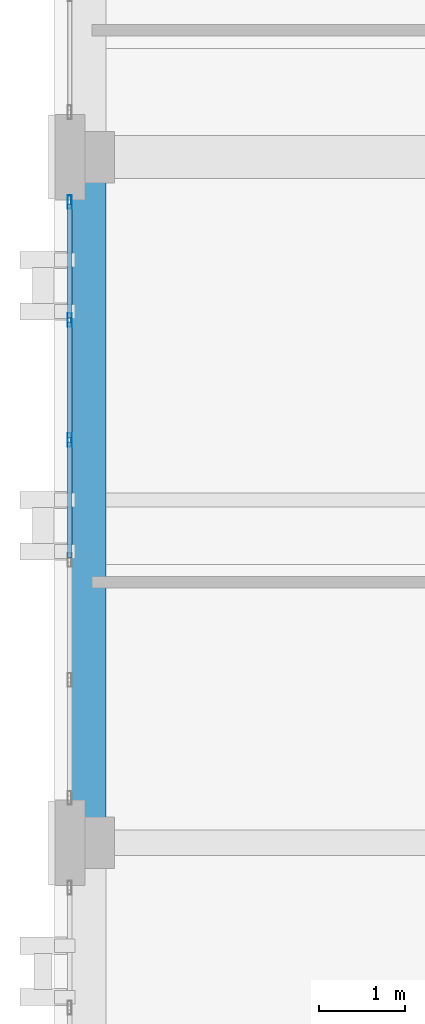
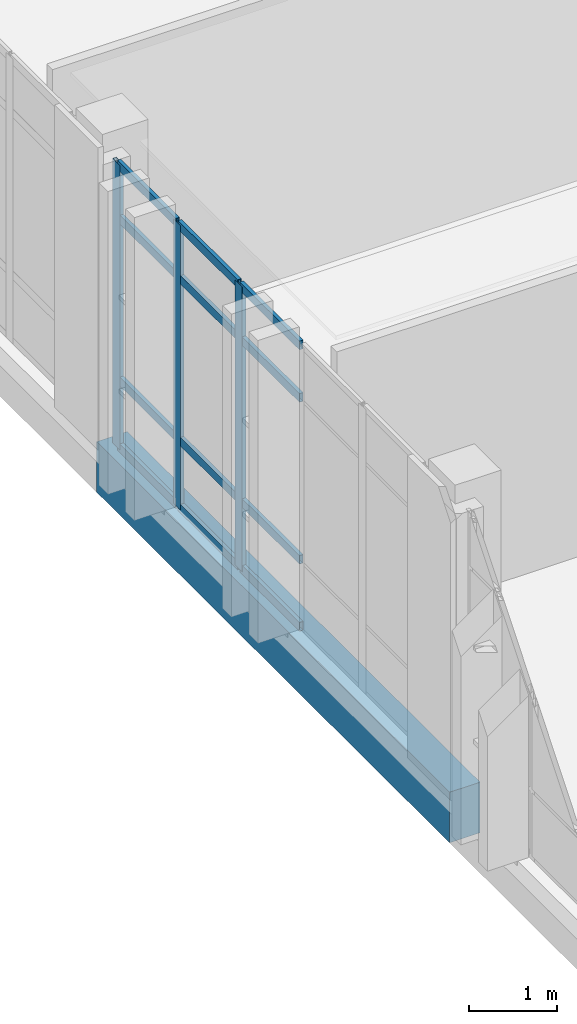
# One storey, part 5 of 48: 15 members, 1 beam, 1 element without a shape of its own.
"""IFC4 building model written with IfcOpenShell, lengths in metres."""

from ifc_helpers import new_model, si_unit, direction, frame, origin, origin_2d, place, context, subcontext, project, spatial, rectangle, hollow_rectangle, extrude, material, layer, layer_set, material_profile, profile_set, type_object, element, aggregate, save


model = new_model("IFC4")

# Units and contexts
model_context = context("Model", 3, precision=1e-05, world=origin(), true_north=direction((0.0, 1.0)))
body_context = subcontext(model_context, "Body", "Model", "MODEL_VIEW")
ifc_project = project(units=[si_unit("LENGTHUNIT", "METRE"), si_unit("AREAUNIT", "SQUARE_METRE"), si_unit("VOLUMEUNIT", "CUBIC_METRE"), si_unit("PLANEANGLEUNIT", "RADIAN"), si_unit("MASSUNIT", "GRAM", prefix="KILO")], contexts=[model_context])

# Site, building, storey
site_placement = place(None, origin())
site = spatial("IfcSite", under=ifc_project, at=site_placement, CompositionType="ELEMENT")
building_placement = place(site_placement, origin())
building = spatial("IfcBuilding", under=site, at=building_placement, Name="Qalavern Law Courts", CompositionType="ELEMENT")
storey_placement = place(building_placement, frame((0.0, 0.0, 31.199951171875)))
storey = spatial("IfcBuildingStorey", under=building, at=storey_placement, Name="L07", CompositionType="ELEMENT", Elevation=31.199951171875)

# Curtain wall, members
ifc_material_1 = material(Name="Anodised aluminium and insulated glazing", Category="aluminium")
ifc_layer = layer(ifc_material_1, 0.159912109375)
ifc_layer_set = layer_set([ifc_layer], Name="Anodised aluminium and insulated glazing")
curtain_wall_type = type_object("IfcCurtainWallType", Name="ENV-CW-CHAMB", PredefinedType="USERDEFINED", material=ifc_layer_set)
curtain_wall_placement = place(storey_placement, origin())
curtain_wall = element("IfcCurtainWall", 1, at=curtain_wall_placement, inside=storey, type_object=curtain_wall_type, Name="V3 unitised curtain wall L07 west 4", ObjectType="UNITISED CURTAIN WALL", PredefinedType="USERDEFINED")
ifc_material_2 = material(Name="Anodised aluminium", Category="aluminium")
ifc_material_profile_1 = material_profile(ifc_material_2, hollow_rectangle(XDim=0.048095703125, YDim=0.159912109375, WallThickness=0.00390625, at=origin_2d()), Name="ALU MULLION 48x160")
ifc_profile_set_1 = profile_set([ifc_material_profile_1], Name="Anodised aluminium")
member_type_1 = type_object("IfcMemberType", Name="ENV-CWM-48x160", PredefinedType="MULLION", material=ifc_profile_set_1)
member_1_placement = place(storey_placement, frame((2.177490234375, 56.8759765625, 0.0), z_axis=(0.0, 0.0, 1.0), x_axis=(1.0, 0.0, 0.0)))
member_1 = element("IfcMember", 2, at=member_1_placement, type_object=member_type_1, Name="CW-04 mullion 1", PredefinedType="MULLION", context=body_context, shape_type="SweptSolid", body=[
    extrude(hollow_rectangle(XDim=0.048095703125, YDim=0.159912109375, WallThickness=0.00390625, at=origin_2d()), origin(), (0.0, 0.0, 1.0), 3.93994140625),
])
member_2_placement = place(storey_placement, frame((2.177490234375, 55.5, 0.0), z_axis=(0.0, 0.0, 1.0), x_axis=(1.0, 0.0, 0.0)))
member_2 = element("IfcMember", 3, at=member_2_placement, type_object=member_type_1, Name="CW-04 mullion 2", PredefinedType="MULLION", context=body_context, shape_type="SweptSolid", body=[
    extrude(hollow_rectangle(XDim=0.048095703125, YDim=0.159912109375, WallThickness=0.00390625, at=origin_2d()), origin(), (0.0, 0.0, 1.0), 3.93994140625),
])
member_3_placement = place(storey_placement, frame((2.177490234375, 54.10009765625, 0.0), z_axis=(0.0, 0.0, 1.0), x_axis=(1.0, 0.0, 0.0)))
member_3 = element("IfcMember", 4, at=member_3_placement, type_object=member_type_1, Name="CW-04 mullion 3", PredefinedType="MULLION", context=body_context, shape_type="SweptSolid", body=[
    extrude(hollow_rectangle(XDim=0.048095703125, YDim=0.159912109375, WallThickness=0.00390625, at=origin_2d()), origin(), (0.0, 0.0, 1.0), 3.93994140625),
])
ifc_material_profile_2 = material_profile(ifc_material_2, hollow_rectangle(XDim=0.048095703125, YDim=0.1201171875, WallThickness=0.00390625, at=origin_2d()), Name="ALU TRANSOM 48x120")
ifc_profile_set_2 = profile_set([ifc_material_profile_2], Name="Anodised aluminium")
member_type_2 = type_object("IfcMemberType", Name="ENV-CWT-48x120", PredefinedType="USERDEFINED", material=ifc_profile_set_2)
member_4_placement = place(storey_placement, frame((2.177490234375, 56.85205078125, 0.024169921875), z_axis=(0.0, -1.0, 0.0), x_axis=(1.0, 0.0, 0.0)))
member_4 = element("IfcMember", 5, at=member_4_placement, type_object=member_type_2, Name="CW-04 transom 1.1", ObjectType="TRANSOM", PredefinedType="USERDEFINED", context=body_context, shape_type="SweptSolid", body=[
    extrude(hollow_rectangle(XDim=0.048095703125, YDim=0.1201171875, WallThickness=0.00390625, at=origin_2d()), origin(), (0.0, 0.0, 1.0), 1.328125),
])
member_5_placement = place(storey_placement, frame((2.177490234375, 56.85205078125, 0.949951171875), z_axis=(0.0, -1.0, 0.0), x_axis=(1.0, 0.0, 0.0)))
member_5 = element("IfcMember", 6, at=member_5_placement, type_object=member_type_2, Name="CW-04 transom 1.2", ObjectType="TRANSOM", PredefinedType="USERDEFINED", context=body_context, shape_type="SweptSolid", body=[
    extrude(hollow_rectangle(XDim=0.048095703125, YDim=0.1201171875, WallThickness=0.00390625, at=origin_2d()), origin(), (0.0, 0.0, 1.0), 1.328125),
])
member_6_placement = place(storey_placement, frame((2.177490234375, 56.85205078125, 3.18994140625), z_axis=(0.0, -1.0, 0.0), x_axis=(1.0, 0.0, 0.0)))
member_6 = element("IfcMember", 7, at=member_6_placement, type_object=member_type_2, Name="CW-04 transom 1.3", ObjectType="TRANSOM", PredefinedType="USERDEFINED", context=body_context, shape_type="SweptSolid", body=[
    extrude(hollow_rectangle(XDim=0.048095703125, YDim=0.1201171875, WallThickness=0.00390625, at=origin_2d()), origin(), (0.0, 0.0, 1.0), 1.328125),
])
member_7_placement = place(storey_placement, frame((2.177490234375, 56.85205078125, 3.916015625), z_axis=(0.0, -1.0, 0.0), x_axis=(1.0, 0.0, 0.0)))
member_7 = element("IfcMember", 8, at=member_7_placement, type_object=member_type_2, Name="CW-04 transom 1.4", ObjectType="TRANSOM", PredefinedType="USERDEFINED", context=body_context, shape_type="SweptSolid", body=[
    extrude(hollow_rectangle(XDim=0.048095703125, YDim=0.1201171875, WallThickness=0.00390625, at=origin_2d()), origin(), (0.0, 0.0, 1.0), 1.328125),
])
member_8_placement = place(storey_placement, frame((2.177490234375, 55.47607421875, 0.024169921875), z_axis=(0.0, -1.0, 0.0), x_axis=(1.0, 0.0, 0.0)))
member_8 = element("IfcMember", 9, at=member_8_placement, type_object=member_type_2, Name="CW-04 transom 2.1", ObjectType="TRANSOM", PredefinedType="USERDEFINED", context=body_context, shape_type="SweptSolid", body=[
    extrude(hollow_rectangle(XDim=0.048095703125, YDim=0.1201171875, WallThickness=0.00390625, at=origin_2d()), origin(), (0.0, 0.0, 1.0), 1.35205078125),
])
member_9_placement = place(storey_placement, frame((2.177490234375, 55.47607421875, 0.949951171875), z_axis=(0.0, -1.0, 0.0), x_axis=(1.0, 0.0, 0.0)))
member_9 = element("IfcMember", 10, at=member_9_placement, type_object=member_type_2, Name="CW-04 transom 2.2", ObjectType="TRANSOM", PredefinedType="USERDEFINED", context=body_context, shape_type="SweptSolid", body=[
    extrude(hollow_rectangle(XDim=0.048095703125, YDim=0.1201171875, WallThickness=0.00390625, at=origin_2d()), origin(), (0.0, 0.0, 1.0), 1.35205078125),
])
member_10_placement = place(storey_placement, frame((2.177490234375, 55.47607421875, 3.18994140625), z_axis=(0.0, -1.0, 0.0), x_axis=(1.0, 0.0, 0.0)))
member_10 = element("IfcMember", 11, at=member_10_placement, type_object=member_type_2, Name="CW-04 transom 2.3", ObjectType="TRANSOM", PredefinedType="USERDEFINED", context=body_context, shape_type="SweptSolid", body=[
    extrude(hollow_rectangle(XDim=0.048095703125, YDim=0.1201171875, WallThickness=0.00390625, at=origin_2d()), origin(), (0.0, 0.0, 1.0), 1.35205078125),
])
member_11_placement = place(storey_placement, frame((2.177490234375, 55.47607421875, 3.916015625), z_axis=(0.0, -1.0, 0.0), x_axis=(1.0, 0.0, 0.0)))
member_11 = element("IfcMember", 12, at=member_11_placement, type_object=member_type_2, Name="CW-04 transom 2.4", ObjectType="TRANSOM", PredefinedType="USERDEFINED", context=body_context, shape_type="SweptSolid", body=[
    extrude(hollow_rectangle(XDim=0.048095703125, YDim=0.1201171875, WallThickness=0.00390625, at=origin_2d()), origin(), (0.0, 0.0, 1.0), 1.35205078125),
])
member_12_placement = place(storey_placement, frame((2.177490234375, 54.075927734375, 0.024169921875), z_axis=(0.0, -1.0, 0.0), x_axis=(1.0, 0.0, 0.0)))
member_12 = element("IfcMember", 13, at=member_12_placement, type_object=member_type_2, Name="CW-04 transom 3.1", ObjectType="TRANSOM", PredefinedType="USERDEFINED", context=body_context, shape_type="SweptSolid", body=[
    extrude(hollow_rectangle(XDim=0.048095703125, YDim=0.1201171875, WallThickness=0.00390625, at=origin_2d()), origin(), (0.0, 0.0, 1.0), 1.351806640625),
])
member_13_placement = place(storey_placement, frame((2.177490234375, 54.075927734375, 0.949951171875), z_axis=(0.0, -1.0, 0.0), x_axis=(1.0, 0.0, 0.0)))
member_13 = element("IfcMember", 14, at=member_13_placement, type_object=member_type_2, Name="CW-04 transom 3.2", ObjectType="TRANSOM", PredefinedType="USERDEFINED", context=body_context, shape_type="SweptSolid", body=[
    extrude(hollow_rectangle(XDim=0.048095703125, YDim=0.1201171875, WallThickness=0.00390625, at=origin_2d()), origin(), (0.0, 0.0, 1.0), 1.351806640625),
])
member_14_placement = place(storey_placement, frame((2.177490234375, 54.075927734375, 3.18994140625), z_axis=(0.0, -1.0, 0.0), x_axis=(1.0, 0.0, 0.0)))
member_14 = element("IfcMember", 15, at=member_14_placement, type_object=member_type_2, Name="CW-04 transom 3.3", ObjectType="TRANSOM", PredefinedType="USERDEFINED", context=body_context, shape_type="SweptSolid", body=[
    extrude(hollow_rectangle(XDim=0.048095703125, YDim=0.1201171875, WallThickness=0.00390625, at=origin_2d()), origin(), (0.0, 0.0, 1.0), 1.351806640625),
])
member_15_placement = place(storey_placement, frame((2.177490234375, 54.075927734375, 3.916015625), z_axis=(0.0, -1.0, 0.0), x_axis=(1.0, 0.0, 0.0)))
member_15 = element("IfcMember", 16, at=member_15_placement, type_object=member_type_2, Name="CW-04 transom 3.4", ObjectType="TRANSOM", PredefinedType="USERDEFINED", context=body_context, shape_type="SweptSolid", body=[
    extrude(hollow_rectangle(XDim=0.048095703125, YDim=0.1201171875, WallThickness=0.00390625, at=origin_2d()), origin(), (0.0, 0.0, 1.0), 1.351806640625),
])
aggregate(curtain_wall, [member_1, member_2, member_3, member_4, member_5, member_6, member_7, member_8, member_9, member_10, member_11, member_12, member_13, member_14, member_15])

# Beam
ifc_material_3 = material(Name="Concrete C40/50", Category="concrete")
ifc_material_profile_3 = material_profile(ifc_material_3, rectangle(XDim=0.39990234375, YDim=0.699951171875, at=origin_2d()), Name="RC 400x700")
ifc_profile_set_3 = profile_set([ifc_material_profile_3], Name="Concrete C40/50")
beam_type = type_object("IfcBeamType", Name="STR-SP-RC400x700", PredefinedType="SPANDREL", material=ifc_profile_set_3)
beam_placement = place(storey_placement, frame((2.39990234375, 49.39990234375, -0.614990234375), z_axis=(0.0, 1.0, 0.0), x_axis=(-1.0, 0.0, 0.0)))
element("IfcBeam", 17, at=beam_placement, inside=storey, type_object=beam_type, Name="V3 Y-beam 1-2 L07", PredefinedType="SPANDREL", context=body_context, shape_type="SweptSolid", body=[
    extrude(rectangle(XDim=0.39990234375, YDim=0.699951171875, at=origin_2d()), origin(), (0.0, 0.0, 1.0), 8.0),
])

save(model, "model.ifc")
